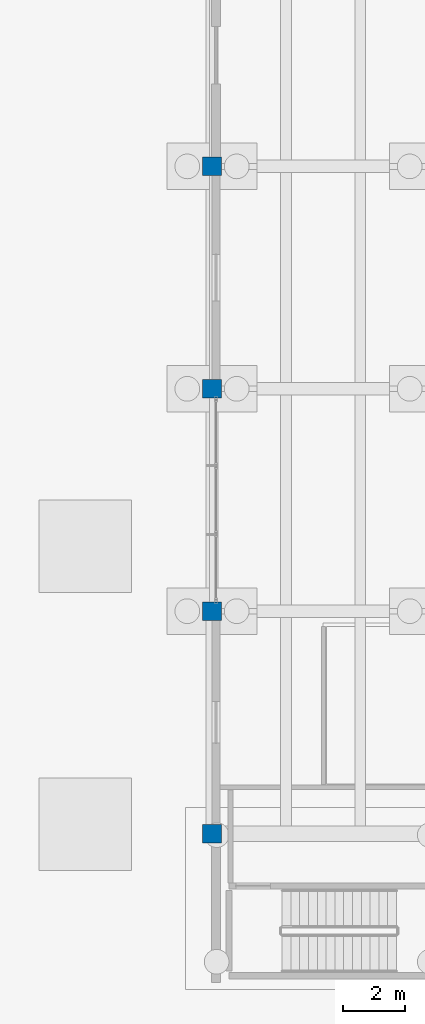
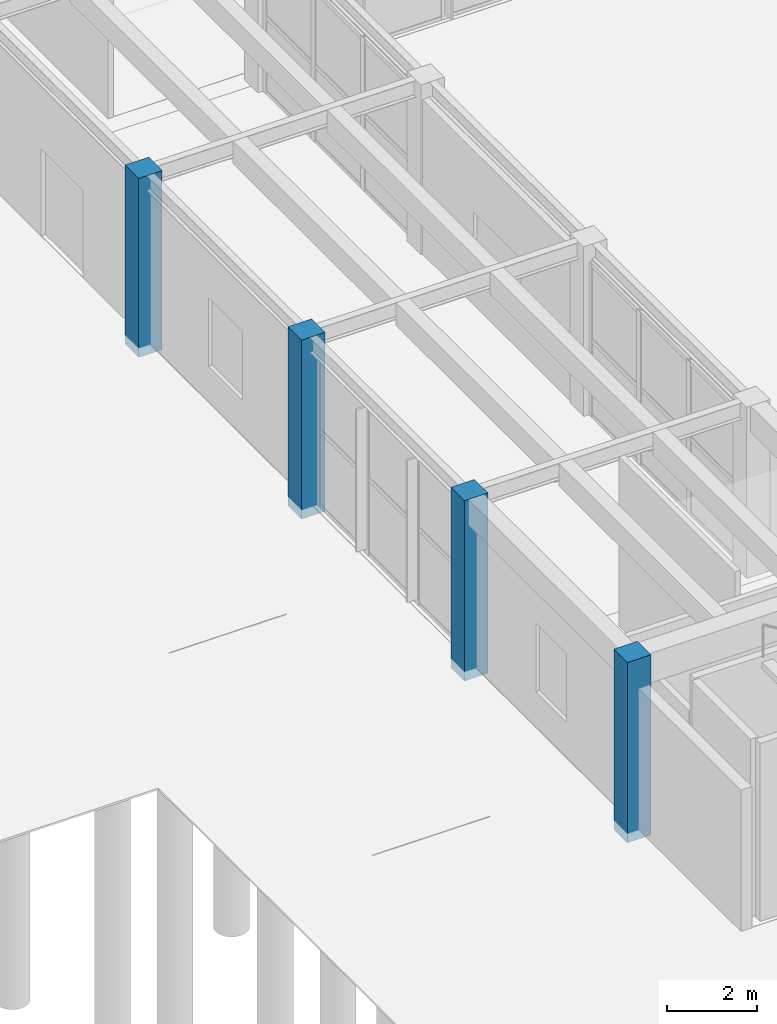
# One storey, part 6 of 155: 4 columns.
"""IFC4 building model written with IfcOpenShell, lengths in metres."""

from ifc_helpers import new_model, si_unit, direction, frame, origin, origin_2d, place, context, subcontext, project, spatial, rectangle, extrude, material, material_profile, profile_set, type_object, element, save


model = new_model("IFC4")

# Units and contexts
model_context = context("Model", 3, precision=1e-05, world=origin(), true_north=direction((0.0, 1.0)))
body_context = subcontext(model_context, "Body", "Model", "MODEL_VIEW")
ifc_project = project(units=[si_unit("LENGTHUNIT", "METRE"), si_unit("AREAUNIT", "SQUARE_METRE"), si_unit("VOLUMEUNIT", "CUBIC_METRE"), si_unit("PLANEANGLEUNIT", "RADIAN"), si_unit("MASSUNIT", "GRAM", prefix="KILO")], contexts=[model_context])

# Site, building, storey
site_placement = place(None, origin())
site = spatial("IfcSite", under=ifc_project, at=site_placement, CompositionType="ELEMENT")
building_placement = place(site_placement, origin())
building = spatial("IfcBuilding", under=site, at=building_placement, Name="Bramvelor Terrace Health Centre", CompositionType="ELEMENT")
storey_placement = place(building_placement, origin())
storey = spatial("IfcBuildingStorey", under=building, at=storey_placement, Name="L01", CompositionType="ELEMENT", Elevation=0.0)

# Columns
ifc_material = material(Name="Concrete C40/50", Category="concrete")
ifc_material_profile = material_profile(ifc_material, rectangle(XDim=0.60009765625, YDim=0.60009765625, at=origin_2d()), Name="RC 600x600")
ifc_profile_set = profile_set([ifc_material_profile], Name="Concrete C40/50")
column_type = type_object("IfcColumnType", Name="COL-RC-600", PredefinedType="COLUMN", material=ifc_profile_set)
for number, where, z_axis, x_axis, name in (
    (1, (57.60009765625, 7.199951171875, -0.25), (0.0, 0.0, 1.0), (1.0, 0.0, 0.0), "L01 Column (57.6, 7.2)"),
    (2, (57.60009765625, 14.39990234375, -0.25), (0.0, 0.0, 1.0), (1.0, 0.0, 0.0), "L01 Column (57.6, 14.4)"),
):
    element("IfcColumn", number, at=place(storey_placement, frame(where, z_axis=z_axis, x_axis=x_axis)), inside=storey, type_object=column_type, Name=name, PredefinedType="COLUMN", context=body_context, shape_type="SweptSolid", body=[
        extrude(rectangle(XDim=0.60009765625, YDim=0.60009765625, at=origin_2d()), origin(), (0.0, 0.0, 1.0), 4.864990234375),
    ])
for number, where, z_axis, x_axis, name in (
    (3, (57.60009765625, 21.60009765625, -0.25), (0.0, 0.0, 1.0), (1.0, 0.0, 0.0), "L01 Column (57.6, 21.6)"),
    (4, (57.60009765625, 28.800048828125, -0.25), (0.0, 0.0, 1.0), (1.0, 0.0, 0.0), "L01 Column (57.6, 28.8)"),
):
    element("IfcColumn", number, at=place(storey_placement, frame(where, z_axis=z_axis, x_axis=x_axis)), inside=storey, type_object=column_type, Name=name, PredefinedType="COLUMN", context=body_context, shape_type="SweptSolid", body=[
        extrude(rectangle(XDim=0.60009765625, YDim=0.60009765625, at=origin_2d()), origin(), (0.0, 0.0, 1.0), 4.830078125),
    ])

save(model, "model.ifc")
